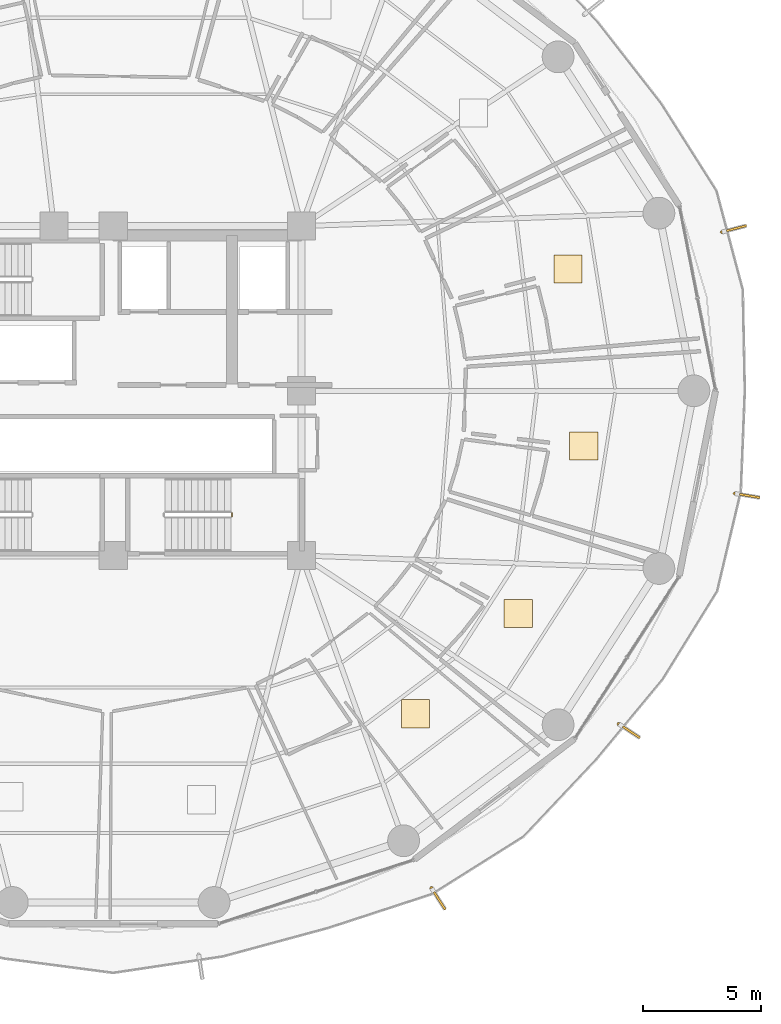
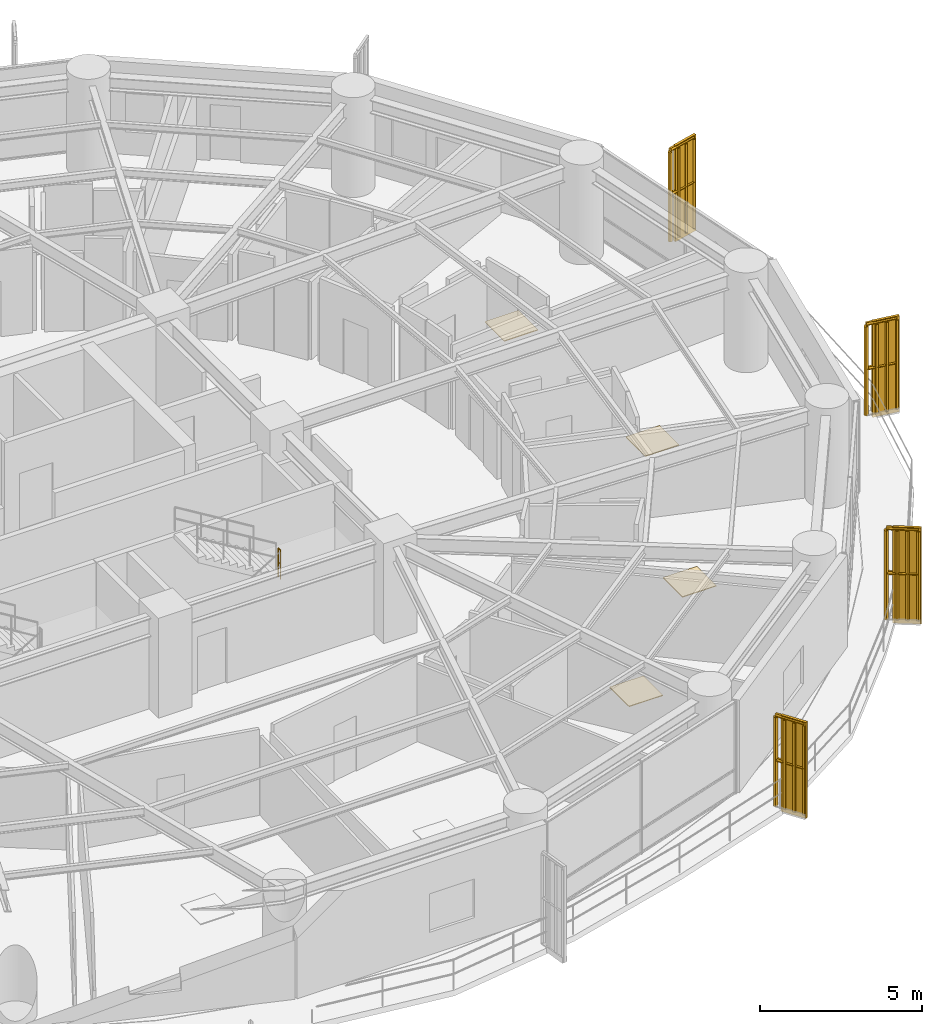
# One storey, part 37 of 38: 5 railings, 4 coverings, 4 shading devices.
"""IFC4 building model written with IfcOpenShell, lengths in metres."""

from ifc_helpers import new_model, si_unit, direction, frame, origin, origin_2d, place, context, subcontext, project, spatial, polyline, rectangle, outline, extrude, source, transform, mapped, material, layer, layer_set, type_object, element, save


model = new_model("IFC4")

# Units and contexts
model_context = context("Model", 3, precision=1e-05, world=origin(), true_north=direction((0.0, 1.0)))
body_context = subcontext(model_context, "Body", "Model", "MODEL_VIEW")
ifc_project = project(units=[si_unit("LENGTHUNIT", "METRE"), si_unit("AREAUNIT", "SQUARE_METRE"), si_unit("VOLUMEUNIT", "CUBIC_METRE"), si_unit("PLANEANGLEUNIT", "RADIAN"), si_unit("MASSUNIT", "GRAM", prefix="KILO")], contexts=[model_context])

# Site, building, storey
site_placement = place(None, origin())
site = spatial("IfcSite", under=ifc_project, at=site_placement, CompositionType="ELEMENT")
building_placement = place(site_placement, origin())
building = spatial("IfcBuilding", under=site, at=building_placement, Name="Kelanora Arch Commons", CompositionType="ELEMENT")
storey_placement = place(building_placement, frame((0.0, 0.0, 106.35009765625)))
storey = spatial("IfcBuildingStorey", under=building, at=storey_placement, Name="L27", CompositionType="ELEMENT", Elevation=106.35009765625)

# Railings
ifc_material_1 = material(Name="Anodised bronze vertical shading fin rib assembly")
railing_type_1 = type_object("IfcRailingType", Name="RAIL-FIN-BRZ", PredefinedType="BALUSTRADE", material=ifc_material_1)
railing_1_placement = place(storey_placement, frame((87.52880859375, 36.862060546875, -0.02001953125)))
element("IfcRailing", 1, at=railing_1_placement, inside=storey, type_object=railing_type_1, Name="Sweeping Bronze Vertical Fin Blade L27-11", PredefinedType="BALUSTRADE", context=body_context, shape_type="SweptSolid", body=[
    extrude(outline(polyline([(0.06982421875, 0.0), (0.034912109375, 0.060546875), (-0.034912109375, 0.060546875), (-0.06982421875, 0.0), (-0.034912109375, -0.060546875), (0.034912109375, -0.060546875), (0.06982421875, 0.0)])), frame((0.0, 0.0, 3.419921875), z_axis=(0.53903982849, -0.842280275978, 0.0), x_axis=(0.842280275978, 0.53903982849, 0.0)), (0.0, 0.0, 1.0), 0.9990234375),
    extrude(outline(polyline([(0.06982421875, 0.0), (0.034912109375, 0.060546875), (-0.034912109375, 0.060546875), (-0.06982421875, 0.0), (-0.034912109375, -0.060546875), (0.034912109375, -0.060546875), (0.06982421875, 0.0)])), frame((0.0, 0.0, 1.7451171875), z_axis=(0.53903982849, -0.842280275978, 0.0), x_axis=(0.842280275978, 0.53903982849, 0.0)), (0.0, 0.0, 1.0), 0.9990234375),
    extrude(outline(polyline([(0.080078125, 0.0), (0.0400390625, 0.0693359375), (-0.0400390625, 0.0693359375), (-0.080078125, 0.0), (-0.0400390625, -0.0693359375), (0.0400390625, -0.0693359375), (0.080078125, 0.0)])), origin(), (0.0, 0.0, 1.0), 3.35009765625),
    extrude(outline(polyline([(0.080078125, 0.0), (0.0400390625, 0.0693359375), (-0.0400390625, 0.0693359375), (-0.080078125, 0.0), (-0.0400390625, -0.0693359375), (0.0400390625, -0.0693359375), (0.080078125, 0.0)])), frame((0.179443359375, -0.280517578125, 0.0)), (0.0, 0.0, 1.0), 3.35009765625),
    extrude(outline(polyline([(0.080078125, 0.0), (0.0400390625, 0.0693359375), (-0.0400390625, 0.0693359375), (-0.080078125, 0.0), (-0.0400390625, -0.0693359375), (0.0400390625, -0.0693359375), (0.080078125, 0.0)])), frame((0.359130859375, -0.56103515625, 0.0)), (0.0, 0.0, 1.0), 3.35009765625),
    extrude(outline(polyline([(0.080078125, 0.0), (0.0400390625, 0.0693359375), (-0.0400390625, 0.0693359375), (-0.080078125, 0.0), (-0.0400390625, -0.0693359375), (0.0400390625, -0.0693359375), (0.080078125, 0.0)])), frame((0.53857421875, -0.841552734375, 0.0)), (0.0, 0.0, 1.0), 3.35009765625),
])
railing_2_placement = place(storey_placement, frame((95.4892578125, 43.84130859375, -0.02001953125)))
element("IfcRailing", 2, at=railing_2_placement, inside=storey, type_object=railing_type_1, Name="Sweeping Bronze Vertical Fin Blade L27-12", PredefinedType="BALUSTRADE", context=body_context, shape_type="SweptSolid", body=[
    extrude(outline(polyline([(0.06982421875, 0.0), (0.034912109375, 0.060546875), (-0.034912109375, 0.060546875), (-0.06982421875, 0.0), (-0.034912109375, -0.060546875), (0.034912109375, -0.060546875), (0.06982421875, 0.0)])), frame((0.0, 0.0, 3.419921875), z_axis=(0.834970963448, -0.550294003419, 0.0), x_axis=(0.550294003419, 0.834970963448, 0.0)), (0.0, 0.0, 1.0), 0.9990234375),
    extrude(outline(polyline([(0.06982421875, 0.0), (0.034912109375, 0.060546875), (-0.034912109375, 0.060546875), (-0.06982421875, 0.0), (-0.034912109375, -0.060546875), (0.034912109375, -0.060546875), (0.06982421875, 0.0)])), frame((0.0, 0.0, 1.7451171875), z_axis=(0.834970963448, -0.550294003419, 0.0), x_axis=(0.550294003419, 0.834970963448, 0.0)), (0.0, 0.0, 1.0), 0.9990234375),
    extrude(outline(polyline([(0.080078125, 0.0), (0.0400390625, 0.0693359375), (-0.0400390625, 0.0693359375), (-0.080078125, 0.0), (-0.0400390625, -0.0693359375), (0.0400390625, -0.0693359375), (0.080078125, 0.0)])), origin(), (0.0, 0.0, 1.0), 3.35009765625),
    extrude(outline(polyline([(0.080078125, 0.0), (0.0400390625, 0.0693359375), (-0.0400390625, 0.0693359375), (-0.080078125, 0.0), (-0.0400390625, -0.0693359375), (0.0400390625, -0.0693359375), (0.080078125, 0.0)])), frame((0.278076171875, -0.183349609375, 0.0)), (0.0, 0.0, 1.0), 3.35009765625),
    extrude(outline(polyline([(0.080078125, 0.0), (0.0400390625, 0.0693359375), (-0.0400390625, 0.0693359375), (-0.080078125, 0.0), (-0.0400390625, -0.0693359375), (0.0400390625, -0.0693359375), (0.080078125, 0.0)])), frame((0.55615234375, -0.366455078125, 0.0)), (0.0, 0.0, 1.0), 3.35009765625),
    extrude(outline(polyline([(0.080078125, 0.0), (0.0400390625, 0.0693359375), (-0.0400390625, 0.0693359375), (-0.080078125, 0.0), (-0.0400390625, -0.0693359375), (0.0400390625, -0.0693359375), (0.080078125, 0.0)])), frame((0.834228515625, -0.5498046875, 0.0)), (0.0, 0.0, 1.0), 3.35009765625),
])
railing_3_placement = place(storey_placement, frame((100.4228515625, 53.63525390625, -0.02001953125)))
element("IfcRailing", 3, at=railing_3_placement, inside=storey, type_object=railing_type_1, Name="Sweeping Bronze Vertical Fin Blade L27-13", PredefinedType="BALUSTRADE", context=body_context, shape_type="SweptSolid", body=[
    extrude(outline(polyline([(0.06982421875, 0.0), (0.034912109375, 0.060546875), (-0.034912109375, 0.060546875), (-0.06982421875, 0.0), (-0.034912109375, -0.060546875), (0.034912109375, -0.060546875), (0.06982421875, 0.0)])), frame((0.0, 0.0, 3.419921875), z_axis=(0.986630625267, -0.162972418785, 0.0), x_axis=(0.162972418785, 0.986630625267, 0.0)), (0.0, 0.0, 1.0), 0.999267578125),
    extrude(outline(polyline([(0.06982421875, 0.0), (0.034912109375, 0.060546875), (-0.034912109375, 0.060546875), (-0.06982421875, 0.0), (-0.034912109375, -0.060546875), (0.034912109375, -0.060546875), (0.06982421875, 0.0)])), frame((0.0, 0.0, 1.7451171875), z_axis=(0.986630625267, -0.162972418785, 0.0), x_axis=(0.162972418785, 0.986630625267, 0.0)), (0.0, 0.0, 1.0), 0.999267578125),
    extrude(outline(polyline([(0.080078125, 0.0), (0.0400390625, 0.0693359375), (-0.0400390625, 0.0693359375), (-0.080078125, 0.0), (-0.0400390625, -0.0693359375), (0.0400390625, -0.0693359375), (0.080078125, 0.0)])), origin(), (0.0, 0.0, 1.0), 3.35009765625),
    extrude(outline(polyline([(0.080078125, 0.0), (0.0400390625, 0.0693359375), (-0.0400390625, 0.0693359375), (-0.080078125, 0.0), (-0.0400390625, -0.0693359375), (0.0400390625, -0.0693359375), (0.080078125, 0.0)])), frame((0.32861328125, -0.05419921875, 0.0)), (0.0, 0.0, 1.0), 3.35009765625),
    extrude(outline(polyline([(0.080078125, 0.0), (0.0400390625, 0.0693359375), (-0.0400390625, 0.0693359375), (-0.080078125, 0.0), (-0.0400390625, -0.0693359375), (0.0400390625, -0.0693359375), (0.080078125, 0.0)])), frame((0.6572265625, -0.108642578125, 0.0)), (0.0, 0.0, 1.0), 3.35009765625),
    extrude(outline(polyline([(0.080078125, 0.0), (0.0400390625, 0.0693359375), (-0.0400390625, 0.0693359375), (-0.080078125, 0.0), (-0.0400390625, -0.0693359375), (0.0400390625, -0.0693359375), (0.080078125, 0.0)])), frame((0.98583984375, -0.162841796875, 0.0)), (0.0, 0.0, 1.0), 3.35009765625),
])
railing_4_placement = place(storey_placement, frame((99.87255859375, 64.748779296875, -0.02001953125)))
element("IfcRailing", 4, at=railing_4_placement, inside=storey, type_object=railing_type_1, Name="Sweeping Bronze Vertical Fin Blade L27-14", PredefinedType="BALUSTRADE", context=body_context, shape_type="SweptSolid", body=[
    extrude(outline(polyline([(0.06982421875, 0.0), (0.034912109375, 0.060546875), (-0.034912109375, 0.060546875), (-0.06982421875, 0.0), (-0.034912109375, -0.060546875), (0.034912109375, -0.060546875), (0.06982421875, 0.0)])), frame((0.0, 0.0, 3.419921875), z_axis=(0.967560164459, 0.252640709609, 0.0), x_axis=(-0.252640709609, 0.967560164459, 0.0)), (0.0, 0.0, 1.0), 0.999267578125),
    extrude(outline(polyline([(0.06982421875, 0.0), (0.034912109375, 0.060546875), (-0.034912109375, 0.060546875), (-0.06982421875, 0.0), (-0.034912109375, -0.060546875), (0.034912109375, -0.060546875), (0.06982421875, 0.0)])), frame((0.0, 0.0, 1.7451171875), z_axis=(0.967560164459, 0.252640709609, 0.0), x_axis=(-0.252640709609, 0.967560164459, 0.0)), (0.0, 0.0, 1.0), 0.999267578125),
    extrude(outline(polyline([(0.080078125, 0.0), (0.0400390625, 0.0693359375), (-0.0400390625, 0.0693359375), (-0.080078125, 0.0), (-0.0400390625, -0.0693359375), (0.0400390625, -0.0693359375), (0.080078125, 0.0)])), origin(), (0.0, 0.0, 1.0), 3.35009765625),
    extrude(outline(polyline([(0.080078125, 0.0), (0.0400390625, 0.0693359375), (-0.0400390625, 0.0693359375), (-0.080078125, 0.0), (-0.0400390625, -0.0693359375), (0.0400390625, -0.0693359375), (0.080078125, 0.0)])), frame((0.322265625, 0.084228515625, 0.0)), (0.0, 0.0, 1.0), 3.35009765625),
    extrude(outline(polyline([(0.080078125, 0.0), (0.0400390625, 0.0693359375), (-0.0400390625, 0.0693359375), (-0.080078125, 0.0), (-0.0400390625, -0.0693359375), (0.0400390625, -0.0693359375), (0.080078125, 0.0)])), frame((0.64453125, 0.168212890625, 0.0)), (0.0, 0.0, 1.0), 3.35009765625),
    extrude(outline(polyline([(0.080078125, 0.0), (0.0400390625, 0.0693359375), (-0.0400390625, 0.0693359375), (-0.080078125, 0.0), (-0.0400390625, -0.0693359375), (0.0400390625, -0.0693359375), (0.080078125, 0.0)])), frame((0.966796875, 0.25244140625, 0.0)), (0.0, 0.0, 1.0), 3.35009765625),
])
ifc_material_2 = material(Name="Painted steel stair well guard", Category="steel")
railing_type_2 = type_object("IfcRailingType", Name="RAIL-STAIR-GRD", PredefinedType="GUARDRAIL", material=ifc_material_2)
railing_5_placement = place(storey_placement, frame((79.050048828125, 52.659912109375, 1.875)))
element("IfcRailing", 5, at=railing_5_placement, inside=storey, type_object=railing_type_2, Name="L27 ST-T2 stair guard 2", PredefinedType="GUARDRAIL", context=body_context, shape_type="SweptSolid", body=[
    extrude(outline(polyline([(0.02392578125, 0.0), (0.011962890625, 0.020751953125), (-0.011962890625, 0.020751953125), (-0.02392578125, 0.0), (-0.011962890625, -0.020751953125), (0.011962890625, -0.020751953125), (0.02392578125, 0.0)])), frame((0.0, 0.0, 1.076171875), z_axis=(0.0, 1.0, 0.0), x_axis=(-1.0, 0.0, 0.0)), (0.0, 0.0, 1.0), 0.150146484375),
    extrude(outline(polyline([(0.02392578125, 0.0), (0.011962890625, 0.020751953125), (-0.011962890625, 0.020751953125), (-0.02392578125, 0.0), (-0.011962890625, -0.020751953125), (0.011962890625, -0.020751953125), (0.02392578125, 0.0)])), frame((0.0, 0.0, 0.550048828125), z_axis=(0.0, 1.0, 0.0), x_axis=(-1.0, 0.0, 0.0)), (0.0, 0.0, 1.0), 0.150146484375),
    extrude(outline(polyline([(0.02099609375, 0.0), (0.010498046875, 0.01806640625), (-0.010498046875, 0.01806640625), (-0.02099609375, 0.0), (-0.010498046875, -0.01806640625), (0.010498046875, -0.01806640625), (0.02099609375, 0.0)])), origin(), (0.0, 0.0, 1.0), 1.052001953125),
    extrude(outline(polyline([(0.02099609375, 0.0), (0.010498046875, 0.01806640625), (-0.010498046875, 0.01806640625), (-0.02099609375, 0.0), (-0.010498046875, -0.01806640625), (0.010498046875, -0.01806640625), (0.02099609375, 0.0)])), frame((0.0, 0.150146484375, 0.0)), (0.0, 0.0, 1.0), 1.052001953125),
])

# Shading devices
ifc_material_3 = material(Name="Terracotta ceramic-clad extruded aluminium fin", Category="masonry")
shading_device_type = type_object("IfcShadingDeviceType", Name="SHD-FIN-FLARE", PredefinedType="USERDEFINED", material=ifc_material_3)
shared_shape_1 = source(origin(), body_context, "Body", "SweptSolid", [
    extrude(rectangle(XDim=0.8798828125, YDim=0.090087890625, at=origin_2d()), origin(), (0.0, 0.0, 1.0), 3.610107421875),
])
for number, where, z_axis, x_axis, name in (
    (6, (87.87353515625, 36.3232421875, -0.14013671875), (0.0, 0.0, 1.0), (0.539064823539, -0.842264279204, 0.0), "Sweeping Terracotta Fin L27-11"),
    (7, (96.023193359375, 43.4892578125, -0.14013671875), (0.0, 0.0, 1.0), (0.835039966425, -0.550189289674, 0.0), "Sweeping Terracotta Fin L27-12"),
    (8, (101.053955078125, 53.531005859375, -0.14013671875), (0.0, 0.0, 1.0), (0.986629113016, -0.162981573648, 0.0), "Sweeping Terracotta Fin L27-13"),
    (9, (100.491455078125, 64.910400390625, -0.14013671875), (0.0, 0.0, 1.0), (0.967621122723, 0.252407137104, 0.0), "Sweeping Terracotta Fin L27-14"),
):
    element("IfcShadingDevice", number, at=place(storey_placement, frame(where, z_axis=z_axis, x_axis=x_axis)), inside=storey, type_object=shading_device_type, Name=name, ObjectType="FIN", PredefinedType="USERDEFINED", context=body_context, shape_type="MappedRepresentation", body=[
        mapped(shared_shape_1, transform((0.0, 0.0, 0.0), scale=1.0)),
    ])

# Coverings
ifc_material_4 = material(Name="Polished local granite terrazzo flooring", Category="masonry")
ifc_layer = layer(ifc_material_4, 0.030029296875)
ifc_layer_set = layer_set([ifc_layer], Name="Polished local granite terrazzo flooring")
covering_type = type_object("IfcCoveringType", Name="COV-FLR-TER", PredefinedType="FLOORING", material=ifc_layer_set)
shared_shape_2 = source(origin(), body_context, "Body", "SweptSolid", [
    extrude(rectangle(XDim=1.199951171875, YDim=1.199951171875, at=origin_2d()), origin(), (0.0, 0.0, 1.0), 0.030029296875),
])
for number, where, z_axis, x_axis, name in (
    (10, (93.32861328125, 63.181884765625, 0.0), (0.0, 0.0, 1.0), (1.0, 0.0, 0.0), "Co-Living Studio L27-01 Terrazzo Finish"),
    (11, (86.848388671875, 44.27392578125, 0.0), (0.0, 0.0, 1.0), (1.0, 0.0, 0.0), "Tutorial Study Alcove L27-13 Terrazzo Finish"),
    (12, (91.210693359375, 48.541015625, 0.0), (0.0, 0.0, 1.0), (1.0, 0.0, 0.0), "Co-Living Studio L27-14 Terrazzo Finish"),
    (13, (93.99853515625, 55.658935546875, 0.0), (0.0, 0.0, 1.0), (1.0, 0.0, 0.0), "Co-Living Studio L27-15 Terrazzo Finish"),
):
    element("IfcCovering", number, at=place(storey_placement, frame(where, z_axis=z_axis, x_axis=x_axis)), inside=storey, type_object=covering_type, Name=name, PredefinedType="FLOORING", context=body_context, shape_type="MappedRepresentation", body=[
        mapped(shared_shape_2, transform((0.0, 0.0, 0.0), scale=1.0)),
    ])

save(model, "model.ifc")
